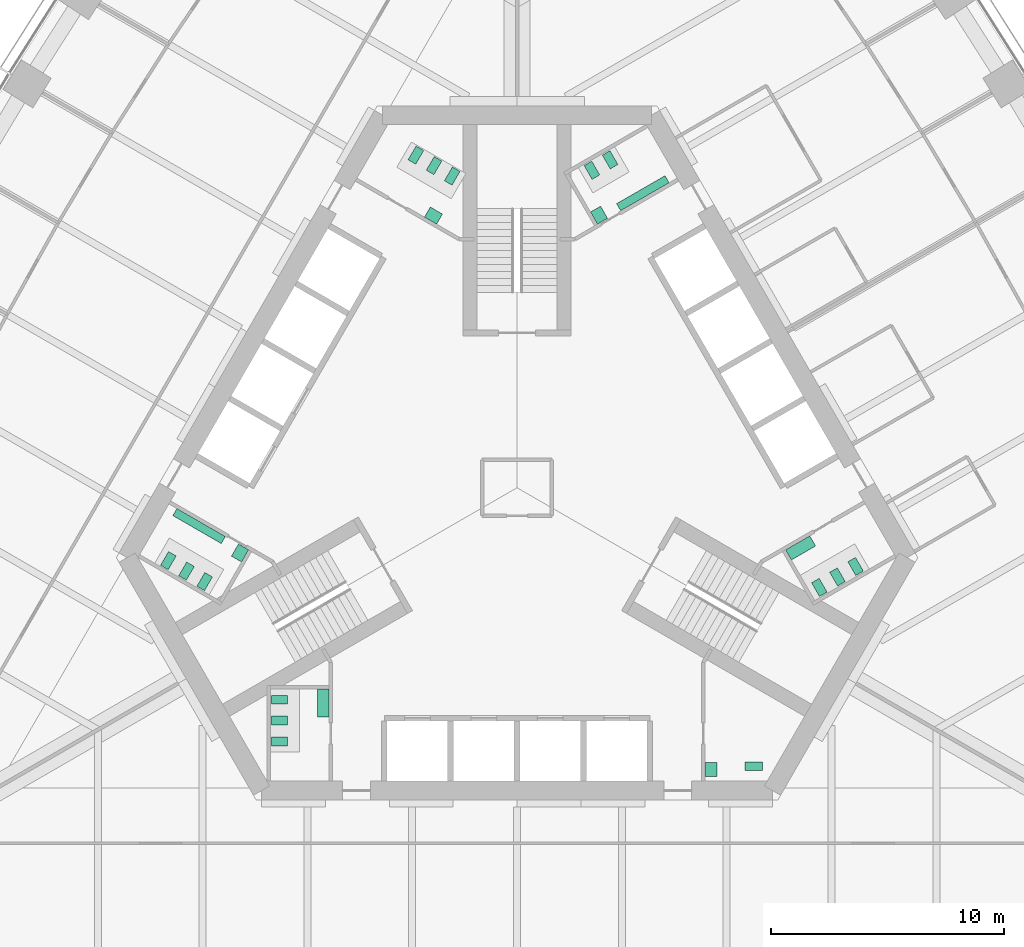
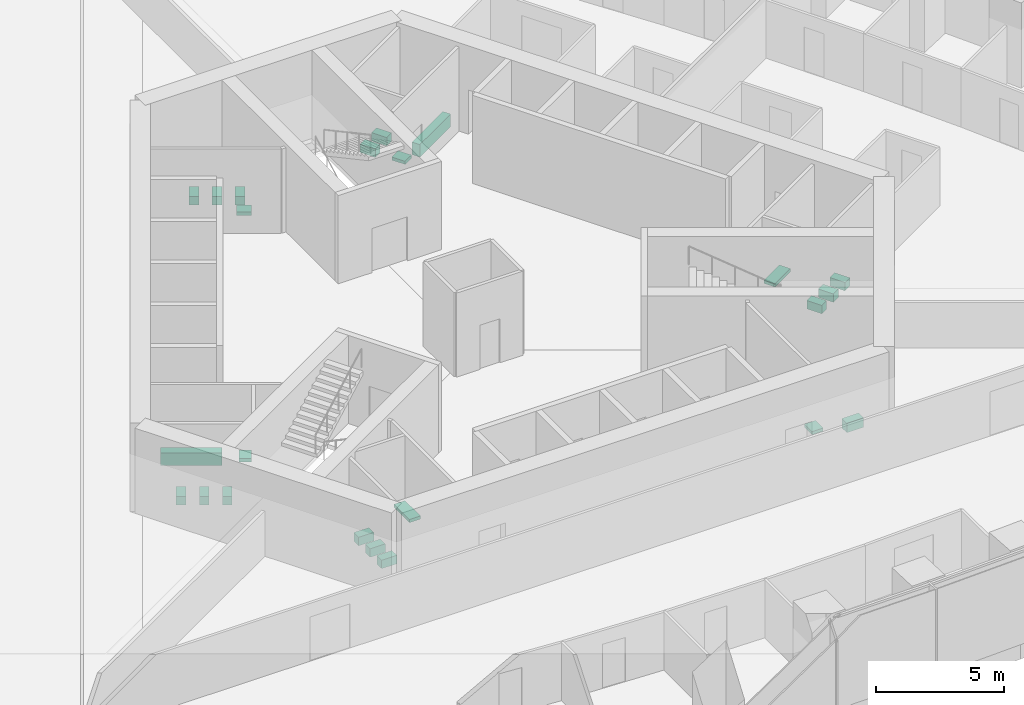
# One storey, part 17 of 18: 23 sanitary terminals.
"""IFC4 building model written with IfcOpenShell, lengths in metres."""

from ifc_helpers import new_model, si_unit, direction, frame, origin, place, context, subcontext, project, spatial, polyline, outline, extrude, material, type_object, element, save


model = new_model("IFC4")

# Units and contexts
model_context = context("Model", 3, precision=1e-05, world=origin(), true_north=direction((0.0, 1.0)))
body_context = subcontext(model_context, "Body", "Model", "MODEL_VIEW")
ifc_project = project(units=[si_unit("LENGTHUNIT", "METRE"), si_unit("AREAUNIT", "SQUARE_METRE"), si_unit("VOLUMEUNIT", "CUBIC_METRE"), si_unit("PLANEANGLEUNIT", "RADIAN"), si_unit("MASSUNIT", "GRAM", prefix="KILO")], contexts=[model_context])

# Site, building, storey
site_placement = place(None, origin())
site = spatial("IfcSite", under=ifc_project, at=site_placement, CompositionType="ELEMENT")
building_placement = place(site_placement, origin())
building = spatial("IfcBuilding", under=site, at=building_placement, Name="Trefoil Bronze Tower", CompositionType="ELEMENT")
storey_placement = place(building_placement, frame((0.0, 0.0, 54.300048828125)))
storey = spatial("IfcBuildingStorey", under=building, at=storey_placement, Name="L12", CompositionType="ELEMENT", Elevation=54.300048828125)

# Sanitary terminals
ifc_material_1 = material(Name="Vitreous china", Category="ceramic")
sanitary_terminal_type_1 = type_object("IfcSanitaryTerminalType", Name="Accessible WC pan", PredefinedType="TOILETPAN", material=ifc_material_1)
sanitary_terminal_1_placement = place(storey_placement, origin())
element("IfcSanitaryTerminal", 1, at=sanitary_terminal_1_placement, inside=storey, type_object=sanitary_terminal_type_1, Name="WC pan 1 Accessible WC L12", PredefinedType="TOILETPAN", context=body_context, shape_type="SweptSolid", body=[
    extrude(outline(polyline([(9.784912109375, -11.77001953125), (10.534912109375, -11.77001953125), (10.534912109375, -12.14990234375), (9.784912109375, -12.14990234375), (9.784912109375, -11.77001953125)])), origin(), (0.0, 0.0, 1.0), 0.449951171875),
])
ifc_material_2 = material(Name="Vitreous china", Category="ceramic")
sanitary_terminal_type_2 = type_object("IfcSanitaryTerminalType", Name="Accessible basin", PredefinedType="WASHHANDBASIN", material=ifc_material_2)
sanitary_terminal_2_placement = place(storey_placement, frame((0.0, 0.0, 0.64990234375)))
element("IfcSanitaryTerminal", 2, at=sanitary_terminal_2_placement, inside=storey, type_object=sanitary_terminal_type_2, Name="Wash basin Accessible WC L12", PredefinedType="WASHHANDBASIN", context=body_context, shape_type="SweptSolid", body=[
    extrude(outline(polyline([(8.074951171875, -11.800048828125), (8.574951171875, -11.800048828125), (8.574951171875, -12.39990234375), (8.074951171875, -12.39990234375), (8.074951171875, -11.800048828125)])), origin(), (0.0, 0.0, 1.0), 0.150146484375),
])
ifc_material_3 = material(Name="Vitreous china", Category="ceramic")
sanitary_terminal_type_3 = type_object("IfcSanitaryTerminalType", Name="Urinal range 4 urinals", PredefinedType="URINAL", material=ifc_material_3)
sanitary_terminal_3_placement = place(storey_placement, frame((0.0, 0.0, 0.39990234375)))
element("IfcSanitaryTerminal", 3, at=sanitary_terminal_3_placement, inside=storey, type_object=sanitary_terminal_type_3, Name="Urinal range WC (men) L12", PredefinedType="URINAL", context=body_context, shape_type="SweptSolid", body=[
    extrude(outline(polyline([(4.449462890625, 11.89306640625), (4.274658203125, 12.1962890625), (6.35302734375, 13.396240234375), (6.528076171875, 13.09326171875), (4.449462890625, 11.89306640625)])), origin(), (0.0, 0.0, 1.0), 0.60009765625),
])
sanitary_terminal_4_placement = place(storey_placement, frame((0.0, 0.0, 0.39990234375)))
element("IfcSanitaryTerminal", 4, at=sanitary_terminal_4_placement, inside=storey, type_object=sanitary_terminal_type_3, Name="Urinal range WC (men) L12", PredefinedType="URINAL", context=body_context, shape_type="SweptSolid", body=[
    extrude(outline(polyline([(-12.524658203125, -2.09326171875), (-12.699462890625, -2.396240234375), (-14.778076171875, -1.1962890625), (-14.60302734375, -0.89306640625), (-12.524658203125, -2.09326171875)])), origin(), (0.0, 0.0, 1.0), 0.60009765625),
])
ifc_material_4 = material(Name="Solid surface vanity", Category="plastic")
sanitary_terminal_type_4 = type_object("IfcSanitaryTerminalType", Name="Vanity unit 1 basins", PredefinedType="WASHHANDBASIN", material=ifc_material_4)
sanitary_terminal_5_placement = place(storey_placement, frame((0.0, 0.0, 0.75)))
element("IfcSanitaryTerminal", 5, at=sanitary_terminal_5_placement, inside=storey, type_object=sanitary_terminal_type_4, Name="Vanity unit WC (men) L12", PredefinedType="WASHHANDBASIN", context=body_context, shape_type="SweptSolid", body=[
    extrude(outline(polyline([(3.45361328125, 11.318115234375), (3.153564453125, 11.837890625), (3.586669921875, 12.087890625), (3.88671875, 11.568115234375), (3.45361328125, 11.318115234375)])), origin(), (0.0, 0.0, 1.0), 0.14990234375),
])
sanitary_terminal_6_placement = place(storey_placement, frame((0.0, 0.0, 0.75)))
element("IfcSanitaryTerminal", 6, at=sanitary_terminal_6_placement, inside=storey, type_object=sanitary_terminal_type_4, Name="Vanity unit WC (women) L12", PredefinedType="WASHHANDBASIN", context=body_context, shape_type="SweptSolid", body=[
    extrude(outline(polyline([(-3.45361328125, 11.318115234375), (-3.20361328125, 11.751220703125), (-3.72314453125, 12.05126953125), (-3.97314453125, 11.6181640625), (-3.45361328125, 11.318115234375)])), origin(), (0.0, 0.0, 1.0), 0.14990234375),
])
sanitary_terminal_7_placement = place(storey_placement, frame((0.0, 0.0, 0.75)))
element("IfcSanitaryTerminal", 7, at=sanitary_terminal_7_placement, inside=storey, type_object=sanitary_terminal_type_4, Name="Vanity unit WC (men) L12", PredefinedType="WASHHANDBASIN", context=body_context, shape_type="SweptSolid", body=[
    extrude(outline(polyline([(-11.528564453125, -2.668212890625), (-11.82861328125, -3.187744140625), (-12.26171875, -2.937744140625), (-11.961669921875, -2.418212890625), (-11.528564453125, -2.668212890625)])), origin(), (0.0, 0.0, 1.0), 0.14990234375),
])
ifc_material_5 = material(Name="Solid surface vanity", Category="plastic")
sanitary_terminal_type_5 = type_object("IfcSanitaryTerminalType", Name="Vanity unit 2 basins", PredefinedType="WASHHANDBASIN", material=ifc_material_5)
sanitary_terminal_8_placement = place(storey_placement, frame((0.0, 0.0, 0.75)))
element("IfcSanitaryTerminal", 8, at=sanitary_terminal_8_placement, inside=storey, type_object=sanitary_terminal_type_5, Name="Vanity unit WC (women) L12", PredefinedType="WASHHANDBASIN", context=body_context, shape_type="SweptSolid", body=[
    extrude(outline(polyline([(11.528564453125, -2.668212890625), (11.778564453125, -3.10107421875), (12.81787109375, -2.501220703125), (12.56787109375, -2.068115234375), (11.528564453125, -2.668212890625)])), origin(), (0.0, 0.0, 1.0), 0.14990234375),
])
sanitary_terminal_9_placement = place(storey_placement, frame((0.0, 0.0, 0.75)))
element("IfcSanitaryTerminal", 9, at=sanitary_terminal_9_placement, inside=storey, type_object=sanitary_terminal_type_5, Name="Vanity unit WC (women) L12", PredefinedType="WASHHANDBASIN", context=body_context, shape_type="SweptSolid", body=[
    extrude(outline(polyline([(-8.074951171875, -8.64990234375), (-8.574951171875, -8.64990234375), (-8.574951171875, -9.85009765625), (-8.074951171875, -9.85009765625), (-8.074951171875, -8.64990234375)])), origin(), (0.0, 0.0, 1.0), 0.14990234375),
])
ifc_material_6 = material(Name="Vitreous china", Category="ceramic")
sanitary_terminal_type_6 = type_object("IfcSanitaryTerminalType", Name="WC pan", PredefinedType="TOILETPAN", material=ifc_material_6)
sanitary_terminal_10_placement = place(storey_placement, origin())
element("IfcSanitaryTerminal", 10, at=sanitary_terminal_10_placement, inside=storey, type_object=sanitary_terminal_type_6, Name="WC pan 1 WC (women) L12", PredefinedType="TOILETPAN", context=body_context, shape_type="SweptSolid", body=[
    extrude(outline(polyline([(12.643798828125, -4.07958984375), (12.98388671875, -4.66845703125), (13.31298828125, -4.478515625), (12.972900390625, -3.8896484375), (12.643798828125, -4.07958984375)])), origin(), (0.0, 0.0, 1.0), 0.39990234375),
])
sanitary_terminal_11_placement = place(storey_placement, origin())
element("IfcSanitaryTerminal", 11, at=sanitary_terminal_11_placement, inside=storey, type_object=sanitary_terminal_type_6, Name="WC pan 2 WC (women) L12", PredefinedType="TOILETPAN", context=body_context, shape_type="SweptSolid", body=[
    extrude(outline(polyline([(13.423095703125, -3.629638671875), (13.76318359375, -4.218505859375), (14.09228515625, -4.028564453125), (13.752197265625, -3.439697265625), (13.423095703125, -3.629638671875)])), origin(), (0.0, 0.0, 1.0), 0.39990234375),
])
sanitary_terminal_12_placement = place(storey_placement, origin())
element("IfcSanitaryTerminal", 12, at=sanitary_terminal_12_placement, inside=storey, type_object=sanitary_terminal_type_6, Name="WC pan 3 WC (women) L12", PredefinedType="TOILETPAN", context=body_context, shape_type="SweptSolid", body=[
    extrude(outline(polyline([(14.20263671875, -3.1796875), (14.542724609375, -3.7685546875), (14.871826171875, -3.57861328125), (14.53173828125, -2.98974609375), (14.20263671875, -3.1796875)])), origin(), (0.0, 0.0, 1.0), 0.39990234375),
])
sanitary_terminal_13_placement = place(storey_placement, origin())
element("IfcSanitaryTerminal", 13, at=sanitary_terminal_13_placement, inside=storey, type_object=sanitary_terminal_type_6, Name="WC pan 1 WC (men) L12", PredefinedType="TOILETPAN", context=body_context, shape_type="SweptSolid", body=[
    extrude(outline(polyline([(3.2216796875, 13.23974609375), (2.8818359375, 13.82861328125), (3.2109375, 14.0185546875), (3.55078125, 13.4296875), (3.2216796875, 13.23974609375)])), origin(), (0.0, 0.0, 1.0), 0.39990234375),
])
sanitary_terminal_14_placement = place(storey_placement, origin())
element("IfcSanitaryTerminal", 14, at=sanitary_terminal_14_placement, inside=storey, type_object=sanitary_terminal_type_6, Name="WC pan 2 WC (men) L12", PredefinedType="TOILETPAN", context=body_context, shape_type="SweptSolid", body=[
    extrude(outline(polyline([(4.001220703125, 13.689697265625), (3.6611328125, 14.278564453125), (3.990234375, 14.468505859375), (4.330322265625, 13.879638671875), (4.001220703125, 13.689697265625)])), origin(), (0.0, 0.0, 1.0), 0.39990234375),
])
sanitary_terminal_15_placement = place(storey_placement, origin())
element("IfcSanitaryTerminal", 15, at=sanitary_terminal_15_placement, inside=storey, type_object=sanitary_terminal_type_6, Name="WC pan 1 WC (women) L12", PredefinedType="TOILETPAN", context=body_context, shape_type="SweptSolid", body=[
    extrude(outline(polyline([(-2.788818359375, 12.98974609375), (-2.44873046875, 13.57861328125), (-2.77783203125, 13.7685546875), (-3.117919921875, 13.1796875), (-2.788818359375, 12.98974609375)])), origin(), (0.0, 0.0, 1.0), 0.39990234375),
])
sanitary_terminal_16_placement = place(storey_placement, origin())
element("IfcSanitaryTerminal", 16, at=sanitary_terminal_16_placement, inside=storey, type_object=sanitary_terminal_type_6, Name="WC pan 2 WC (women) L12", PredefinedType="TOILETPAN", context=body_context, shape_type="SweptSolid", body=[
    extrude(outline(polyline([(-3.568115234375, 13.439697265625), (-3.228271484375, 14.028564453125), (-3.557373046875, 14.218505859375), (-3.897216796875, 13.629638671875), (-3.568115234375, 13.439697265625)])), origin(), (0.0, 0.0, 1.0), 0.39990234375),
])
sanitary_terminal_17_placement = place(storey_placement, origin())
element("IfcSanitaryTerminal", 17, at=sanitary_terminal_17_placement, inside=storey, type_object=sanitary_terminal_type_6, Name="WC pan 3 WC (women) L12", PredefinedType="TOILETPAN", context=body_context, shape_type="SweptSolid", body=[
    extrude(outline(polyline([(-4.34765625, 13.8896484375), (-4.007568359375, 14.478515625), (-4.336669921875, 14.66845703125), (-4.6767578125, 14.07958984375), (-4.34765625, 13.8896484375)])), origin(), (0.0, 0.0, 1.0), 0.39990234375),
])
sanitary_terminal_18_placement = place(storey_placement, origin())
element("IfcSanitaryTerminal", 18, at=sanitary_terminal_18_placement, inside=storey, type_object=sanitary_terminal_type_6, Name="WC pan 1 WC (men) L12", PredefinedType="TOILETPAN", context=body_context, shape_type="SweptSolid", body=[
    extrude(outline(polyline([(-13.076904296875, -3.82958984375), (-13.416748046875, -4.41845703125), (-13.745849609375, -4.228515625), (-13.406005859375, -3.6396484375), (-13.076904296875, -3.82958984375)])), origin(), (0.0, 0.0, 1.0), 0.39990234375),
])
sanitary_terminal_19_placement = place(storey_placement, origin())
element("IfcSanitaryTerminal", 19, at=sanitary_terminal_19_placement, inside=storey, type_object=sanitary_terminal_type_6, Name="WC pan 2 WC (men) L12", PredefinedType="TOILETPAN", context=body_context, shape_type="SweptSolid", body=[
    extrude(outline(polyline([(-13.856201171875, -3.379638671875), (-14.1962890625, -3.968505859375), (-14.525390625, -3.778564453125), (-14.185302734375, -3.189697265625), (-13.856201171875, -3.379638671875)])), origin(), (0.0, 0.0, 1.0), 0.39990234375),
])
sanitary_terminal_20_placement = place(storey_placement, origin())
element("IfcSanitaryTerminal", 20, at=sanitary_terminal_20_placement, inside=storey, type_object=sanitary_terminal_type_6, Name="WC pan 3 WC (men) L12", PredefinedType="TOILETPAN", context=body_context, shape_type="SweptSolid", body=[
    extrude(outline(polyline([(-14.6357421875, -2.9296875), (-14.9755859375, -3.5185546875), (-15.3046875, -3.32861328125), (-14.96484375, -2.73974609375), (-14.6357421875, -2.9296875)])), origin(), (0.0, 0.0, 1.0), 0.39990234375),
])
sanitary_terminal_21_placement = place(storey_placement, origin())
element("IfcSanitaryTerminal", 21, at=sanitary_terminal_21_placement, inside=storey, type_object=sanitary_terminal_type_6, Name="WC pan 1 WC (women) L12", PredefinedType="TOILETPAN", context=body_context, shape_type="SweptSolid", body=[
    extrude(outline(polyline([(-9.85498046875, -8.909912109375), (-10.534912109375, -8.909912109375), (-10.534912109375, -9.2900390625), (-9.85498046875, -9.2900390625), (-9.85498046875, -8.909912109375)])), origin(), (0.0, 0.0, 1.0), 0.39990234375),
])
sanitary_terminal_22_placement = place(storey_placement, origin())
element("IfcSanitaryTerminal", 22, at=sanitary_terminal_22_placement, inside=storey, type_object=sanitary_terminal_type_6, Name="WC pan 2 WC (women) L12", PredefinedType="TOILETPAN", context=body_context, shape_type="SweptSolid", body=[
    extrude(outline(polyline([(-9.85498046875, -9.81005859375), (-10.534912109375, -9.81005859375), (-10.534912109375, -10.18994140625), (-9.85498046875, -10.18994140625), (-9.85498046875, -9.81005859375)])), origin(), (0.0, 0.0, 1.0), 0.39990234375),
])
sanitary_terminal_23_placement = place(storey_placement, origin())
element("IfcSanitaryTerminal", 23, at=sanitary_terminal_23_placement, inside=storey, type_object=sanitary_terminal_type_6, Name="WC pan 3 WC (women) L12", PredefinedType="TOILETPAN", context=body_context, shape_type="SweptSolid", body=[
    extrude(outline(polyline([(-9.85498046875, -10.7099609375), (-10.534912109375, -10.7099609375), (-10.534912109375, -11.090087890625), (-9.85498046875, -11.090087890625), (-9.85498046875, -10.7099609375)])), origin(), (0.0, 0.0, 1.0), 0.39990234375),
])

save(model, "model.ifc")
